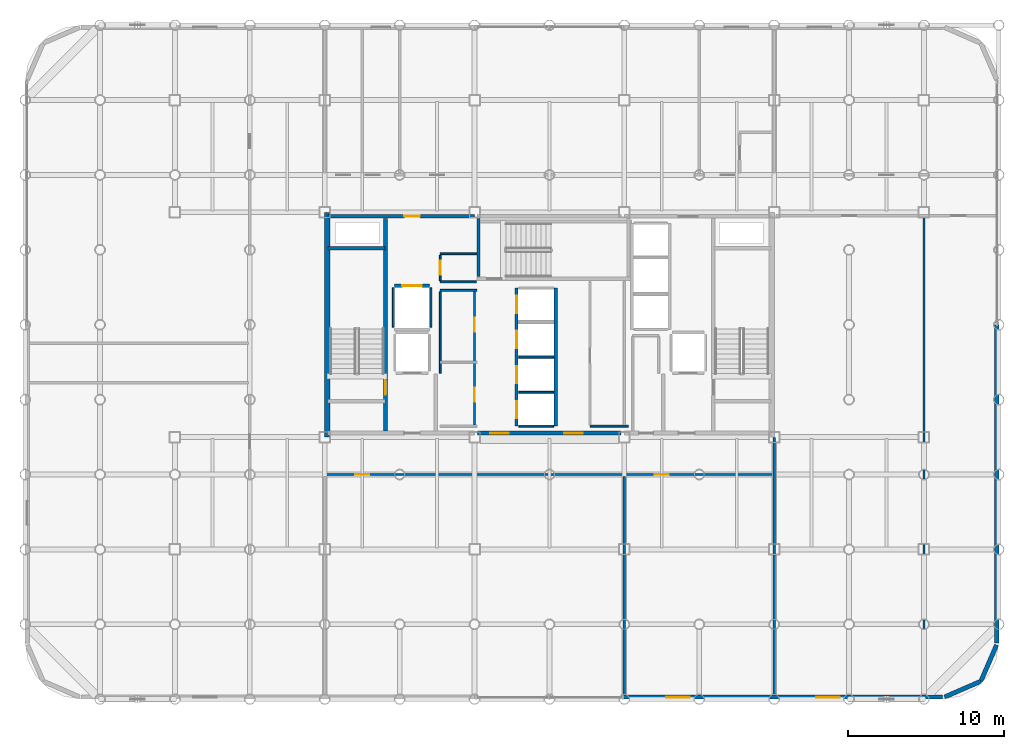
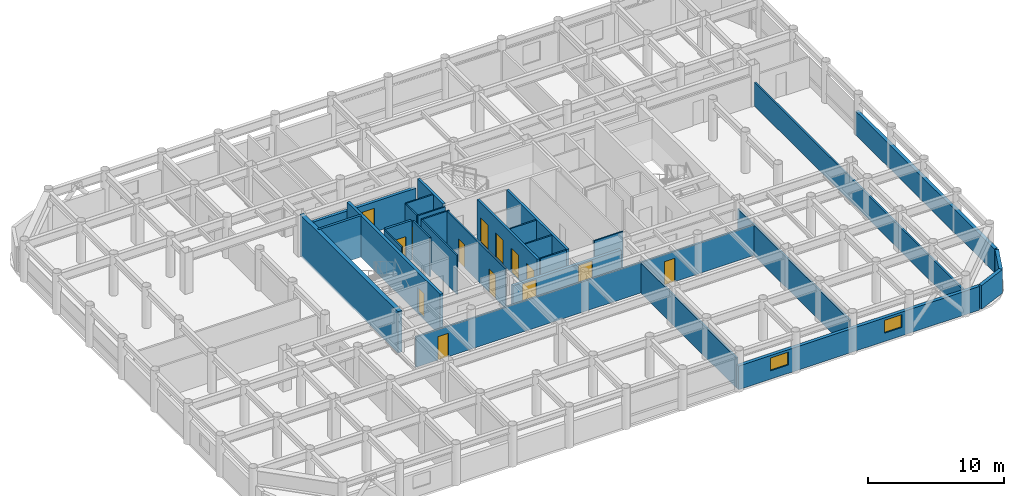
# One storey, part 16 of 19: 29 walls, 14 doors, 2 windows, 16 openings.
"""IFC4 building model written with IfcOpenShell, lengths in metres."""

from ifc_helpers import new_model, si_unit, direction, frame, frame_2d, origin, place, context, subcontext, project, spatial, rectangle, extrude, material, layer, layer_set, type_object, element, fill, save


model = new_model("IFC4")

# Units and contexts
model_context = context("Model", 3, precision=1e-05, world=origin(), true_north=direction((0.0, 1.0)))
body_context = subcontext(model_context, "Body", "Model", "MODEL_VIEW")
ifc_project = project(units=[si_unit("LENGTHUNIT", "METRE"), si_unit("AREAUNIT", "SQUARE_METRE"), si_unit("VOLUMEUNIT", "CUBIC_METRE"), si_unit("PLANEANGLEUNIT", "RADIAN"), si_unit("MASSUNIT", "GRAM", prefix="KILO")], contexts=[model_context])

# Site, building, storey
site_placement = place(None, origin())
site = spatial("IfcSite", under=ifc_project, at=site_placement, CompositionType="ELEMENT")
building_placement = place(site_placement, origin())
building = spatial("IfcBuilding", under=site, at=building_placement, Name="Kallvorn Hotel Tower", CompositionType="ELEMENT")
storey_placement = place(building_placement, frame((0.0, 0.0, 169.199951171875)))
storey = spatial("IfcBuildingStorey", under=building, at=storey_placement, Name="L42", CompositionType="ELEMENT", Elevation=169.199951171875)

# Walls
ifc_material_1 = material(Name="Concrete C50/60", Category="concrete")
ifc_layer_1 = layer(ifc_material_1, 0.35009765625)
ifc_layer_set_1 = layer_set([ifc_layer_1], Name="WL_CORE_350")
wall_type_1 = type_object("IfcWallType", Name="WL_CORE_350", PredefinedType="SHEAR", material=ifc_layer_set_1)
wall_1_placement = place(storey_placement, frame((-14.239990234375, -7.199951171875, -0.179931640625), z_axis=(0.0, 0.0, 1.0), x_axis=(0.0, 1.0, 0.0)))
element("IfcWall", 1, at=wall_1_placement, inside=storey, type_object=wall_type_1, Name="L42 Core West Shear Wall", PredefinedType="SHEAR", context=body_context, shape_type="SweptSolid", body=[
    extrude(rectangle(XDim=14.39990234375, YDim=0.35009765625, at=frame_2d((7.199951171875, 0.0))), origin(), (0.0, 0.0, 1.0), 3.699951171875),
])
ifc_material_2 = material(Name="Precast basalt-clad insulated concrete wall C40/50", Category="masonry")
ifc_layer_2 = layer(ifc_material_2, 0.280029296875)
ifc_layer_set_2 = layer_set([ifc_layer_2], Name="WL_EXT_LOGGIA_280")
wall_type_2 = type_object("IfcWallType", Name="WL_EXT_LOGGIA_280", PredefinedType="SOLIDWALL", material=ifc_layer_set_2)
wall_2_placement = place(storey_placement, frame((25.32080078125, -23.85791015625, 0.0), z_axis=(0.0, 0.0, 1.0), x_axis=(0.917060872934, 0.398747232384, 0.0)))
element("IfcWall", 2, at=wall_2_placement, inside=storey, type_object=wall_type_2, Name="L42 Rounded Corner Exterior Wall SE1", PredefinedType="SOLIDWALL", context=body_context, shape_type="SweptSolid", body=[
    extrude(rectangle(XDim=2.5361328125, YDim=0.280029296875, at=frame_2d((1.26806640625, 0.0))), origin(), (0.0, 0.0, 1.0), 2.1201171875),
])
wall_3_placement = place(storey_placement, frame((27.646484375, -22.8466796875, 0.0), z_axis=(0.0, 0.0, 1.0), x_axis=(0.398792985289, 0.917040977756, 0.0)))
element("IfcWall", 3, at=wall_3_placement, inside=storey, type_object=wall_type_2, Name="L42 Rounded Corner Exterior Wall SE2", PredefinedType="SOLIDWALL", context=body_context, shape_type="SweptSolid", body=[
    extrude(rectangle(XDim=2.536376953125, YDim=0.280029296875, at=frame_2d((1.26806640625, 0.0))), origin(), (0.0, 0.0, 1.0), 2.1201171875),
])

# Wall, openings, windows
wall_4_placement = place(storey_placement, frame((4.75, -23.860107421875, 0.0), z_axis=(0.0, 0.0, 1.0), x_axis=(1.0, 0.0, 0.0)))
wall_4 = element("IfcWall", 4, at=wall_4_placement, inside=storey, type_object=wall_type_2, Name="L42 Exterior Envelope Wall EW-L42-SE", PredefinedType="SOLIDWALL", context=body_context, shape_type="SweptSolid", body=[
    extrude(rectangle(XDim=20.449951171875, YDim=0.280029296875, at=frame_2d((10.22509765625, 0.0))), origin(), (0.0, 0.0, 1.0), 2.1201171875),
])
opening_1_placement = place(wall_4_placement, frame((12.360107421875, 0.0, 0.75)))
opening_1 = element("IfcOpeningElement", 5, at=opening_1_placement, cuts=wall_4, Name="Opening W05A", PredefinedType="OPENING", context=body_context, shape_type="SweptSolid", body=[
    extrude(rectangle(XDim=1.5, YDim=1.14990234375, at=frame_2d((0.75, 0.574951171875))), frame((0.0, 0.155029296875, 0.0), z_axis=(0.0, -1.0, 0.0), x_axis=(1.0, 0.0, 0.0)), (0.0, 0.0, 1.0), 0.31005859375),
])
opening_2_placement = place(wall_4_placement, frame((2.73388671875, 0.0, 0.75)))
opening_2 = element("IfcOpeningElement", 6, at=opening_2_placement, cuts=wall_4, Name="Opening W05A", PredefinedType="OPENING", context=body_context, shape_type="SweptSolid", body=[
    extrude(rectangle(XDim=1.5, YDim=1.14990234375, at=frame_2d((0.75, 0.574951171875))), frame((0.0, 0.155029296875, 0.0), z_axis=(0.0, -1.0, 0.0), x_axis=(1.0, 0.0, 0.0)), (0.0, 0.0, 1.0), 0.31005859375),
])
ifc_material_3 = material(Name="Double-glazed low-e solar-control dark glass", Category="glass")
window_type = type_object("IfcWindowType", Name="WN_HTL_1500x1150", PartitioningType="SINGLE_PANEL", PredefinedType="WINDOW", material=ifc_material_3)
window_1_placement = place(opening_1_placement, origin())
window_1 = element("IfcWindow", 7, at=window_1_placement, inside=storey, type_object=window_type, Name="L42 Guestroom Exterior Window 05", OverallHeight=1.14990234375, OverallWidth=1.5, PartitioningType="SINGLE_PANEL", PredefinedType="WINDOW", context=body_context, shape_type="SweptSolid", body=[
    extrude(rectangle(XDim=1.5, YDim=1.14990234375, at=frame_2d((0.75, 0.574951171875))), frame((0.0, 0.030029296875, 0.0), z_axis=(0.0, -1.0, 0.0), x_axis=(1.0, 0.0, 0.0)), (0.0, 0.0, 1.0), 0.06005859375),
])
fill(opening_1, window_1)
window_2_placement = place(opening_2_placement, origin())
window_2 = element("IfcWindow", 8, at=window_2_placement, inside=storey, type_object=window_type, Name="L42 Guestroom Exterior Window 06", OverallHeight=1.14990234375, OverallWidth=1.5, PartitioningType="SINGLE_PANEL", PredefinedType="WINDOW", context=body_context, shape_type="SweptSolid", body=[
    extrude(rectangle(XDim=1.5, YDim=1.14990234375, at=frame_2d((0.75, 0.574951171875))), frame((0.0, 0.030029296875, 0.0), z_axis=(0.0, -1.0, 0.0), x_axis=(1.0, 0.0, 0.0)), (0.0, 0.0, 1.0), 0.06005859375),
])
fill(opening_2, window_2)

# Walls
wall_5_placement = place(storey_placement, frame((28.659912109375, -20.39990234375, 0.0), z_axis=(0.0, 0.0, 1.0), x_axis=(0.0, 1.0, 0.0)))
element("IfcWall", 9, at=wall_5_placement, inside=storey, type_object=wall_type_2, Name="L42 Exterior Envelope Wall EW-L42-ES", PredefinedType="SOLIDWALL", context=body_context, shape_type="SweptSolid", body=[
    extrude(rectangle(XDim=20.3798828125, YDim=0.280029296875, at=frame_2d((10.18994140625, 0.0))), origin(), (0.0, 0.0, 1.0), 2.1201171875),
])
ifc_material_4 = material(Name="Concrete C40/50", Category="concrete")
ifc_layer_3 = layer(ifc_material_4, 0.199951171875)
ifc_layer_set_3 = layer_set([ifc_layer_3], Name="WL_HOIST_200")
wall_type_3 = type_object("IfcWallType", Name="WL_HOIST_200", PredefinedType="SOLIDWALL", material=ifc_layer_set_3)
wall_6_placement = place(storey_placement, frame((-14.199951171875, 4.89990234375, -0.179931640625), z_axis=(0.0, 0.0, 1.0), x_axis=(1.0, 0.0, 0.0)))
element("IfcWall", 10, at=wall_6_placement, inside=storey, type_object=wall_type_3, Name="L42 Stair ST1 North Wall", PredefinedType="SOLIDWALL", context=body_context, shape_type="SweptSolid", body=[
    extrude(rectangle(XDim=3.64990234375, YDim=0.199951171875, at=frame_2d((1.824951171875, 0.0))), origin(), (0.0, 0.0, 1.0), 3.699951171875),
])
wall_7_placement = place(storey_placement, frame((-4.550048828125, 3.080078125, -0.179931640625), z_axis=(0.0, 0.0, 1.0), x_axis=(0.0, 1.0, 0.0)))
element("IfcWall", 11, at=wall_7_placement, inside=storey, type_object=wall_type_3, Name="L42 Stair ST3 West Wall", PredefinedType="SOLIDWALL", context=body_context, shape_type="SweptSolid", body=[
    extrude(rectangle(XDim=3.739990234375, YDim=0.199951171875, at=frame_2d((1.8701171875, 0.0))), origin(), (0.0, 0.0, 1.0), 3.699951171875),
])

# Wall, openings, doors
wall_8_placement = place(storey_placement, frame((-2.10009765625, -6.5, 0.0), z_axis=(0.0, 0.0, 1.0), x_axis=(0.0, 1.0, 0.0)))
wall_8 = element("IfcWall", 12, at=wall_8_placement, inside=storey, type_object=wall_type_3, Name="L42 Lift Bank B2 Landing Wall", PredefinedType="SOLIDWALL", context=body_context, shape_type="SweptSolid", body=[
    extrude(rectangle(XDim=8.85009765625, YDim=0.199951171875, at=frame_2d((4.425048828125, 0.0))), origin(), (0.0, 0.0, 1.0), 3.52001953125),
])
opening_3_placement = place(wall_8_placement, frame((0.5, 0.0, 0.0)))
opening_3 = element("IfcOpeningElement", 13, at=opening_3_placement, cuts=wall_8, Name="Opening LD-PL-05", PredefinedType="OPENING", context=body_context, shape_type="SweptSolid", body=[
    extrude(rectangle(XDim=1.10009765625, YDim=2.199951171875, at=frame_2d((0.550048828125, 1.10009765625))), frame((0.0, 0.114990234375, 0.0), z_axis=(0.0, -1.0, 0.0), x_axis=(1.0, 0.0, 0.0)), (0.0, 0.0, 1.0), 0.22998046875),
])
opening_4_placement = place(wall_8_placement, frame((2.75, 0.0, 0.0)))
opening_4 = element("IfcOpeningElement", 14, at=opening_4_placement, cuts=wall_8, Name="Opening LD-PL-06", PredefinedType="OPENING", context=body_context, shape_type="SweptSolid", body=[
    extrude(rectangle(XDim=1.10009765625, YDim=2.199951171875, at=frame_2d((0.550048828125, 1.10009765625))), frame((0.0, 0.114990234375, 0.0), z_axis=(0.0, -1.0, 0.0), x_axis=(1.0, 0.0, 0.0)), (0.0, 0.0, 1.0), 0.22998046875),
])
opening_5_placement = place(wall_8_placement, frame((5.0, 0.0, 0.0)))
opening_5 = element("IfcOpeningElement", 15, at=opening_5_placement, cuts=wall_8, Name="Opening LD-PL-07", PredefinedType="OPENING", context=body_context, shape_type="SweptSolid", body=[
    extrude(rectangle(XDim=1.10009765625, YDim=2.199951171875, at=frame_2d((0.550048828125, 1.10009765625))), frame((0.0, 0.114990234375, 0.0), z_axis=(0.0, -1.0, 0.0), x_axis=(1.0, 0.0, 0.0)), (0.0, 0.0, 1.0), 0.22998046875),
])
opening_6_placement = place(wall_8_placement, frame((7.25, 0.0, 0.0)))
opening_6 = element("IfcOpeningElement", 16, at=opening_6_placement, cuts=wall_8, Name="Opening LD-PL-08", PredefinedType="OPENING", context=body_context, shape_type="SweptSolid", body=[
    extrude(rectangle(XDim=1.10009765625, YDim=2.199951171875, at=frame_2d((0.550048828125, 1.10009765625))), frame((0.0, 0.114990234375, 0.0), z_axis=(0.0, -1.0, 0.0), x_axis=(1.0, 0.0, 0.0)), (0.0, 0.0, 1.0), 0.22998046875),
])
ifc_material_5 = material(Name="Brushed stainless-steel automatic sliding lift landing door", Category="steel")
door_type_1 = type_object("IfcDoorType", Name="LD_PASS_1100x2200", OperationType="SLIDING_TO_LEFT", PredefinedType="DOOR", material=ifc_material_5)
door_1_placement = place(opening_3_placement, origin())
door_1 = element("IfcDoor", 17, at=door_1_placement, inside=storey, type_object=door_type_1, Name="L42 Lift Landing Sliding Door LD-PL-05", OperationType="SLIDING_TO_LEFT", OverallHeight=2.199951171875, OverallWidth=1.10009765625, PredefinedType="DOOR", context=body_context, shape_type="SweptSolid", body=[
    extrude(rectangle(XDim=1.10009765625, YDim=2.199951171875, at=frame_2d((0.550048828125, 1.10009765625))), frame((0.0, 0.02490234375, 0.0), z_axis=(0.0, -1.0, 0.0), x_axis=(1.0, 0.0, 0.0)), (0.0, 0.0, 1.0), 0.050048828125),
])
fill(opening_3, door_1)
door_2_placement = place(opening_4_placement, origin())
door_2 = element("IfcDoor", 18, at=door_2_placement, inside=storey, type_object=door_type_1, Name="L42 Lift Landing Sliding Door LD-PL-06", OperationType="SLIDING_TO_LEFT", OverallHeight=2.199951171875, OverallWidth=1.10009765625, PredefinedType="DOOR", context=body_context, shape_type="SweptSolid", body=[
    extrude(rectangle(XDim=1.10009765625, YDim=2.199951171875, at=frame_2d((0.550048828125, 1.10009765625))), frame((0.0, 0.02490234375, 0.0), z_axis=(0.0, -1.0, 0.0), x_axis=(1.0, 0.0, 0.0)), (0.0, 0.0, 1.0), 0.050048828125),
])
fill(opening_4, door_2)
door_3_placement = place(opening_5_placement, origin())
door_3 = element("IfcDoor", 19, at=door_3_placement, inside=storey, type_object=door_type_1, Name="L42 Lift Landing Sliding Door LD-PL-07", OperationType="SLIDING_TO_LEFT", OverallHeight=2.199951171875, OverallWidth=1.10009765625, PredefinedType="DOOR", context=body_context, shape_type="SweptSolid", body=[
    extrude(rectangle(XDim=1.10009765625, YDim=2.199951171875, at=frame_2d((0.550048828125, 1.10009765625))), frame((0.0, 0.02490234375, 0.0), z_axis=(0.0, -1.0, 0.0), x_axis=(1.0, 0.0, 0.0)), (0.0, 0.0, 1.0), 0.050048828125),
])
fill(opening_5, door_3)
door_4_placement = place(opening_6_placement, origin())
door_4 = element("IfcDoor", 20, at=door_4_placement, inside=storey, type_object=door_type_1, Name="L42 Lift Landing Sliding Door LD-PL-08", OperationType="SLIDING_TO_LEFT", OverallHeight=2.199951171875, OverallWidth=1.10009765625, PredefinedType="DOOR", context=body_context, shape_type="SweptSolid", body=[
    extrude(rectangle(XDim=1.10009765625, YDim=2.199951171875, at=frame_2d((0.550048828125, 1.10009765625))), frame((0.0, 0.02490234375, 0.0), z_axis=(0.0, -1.0, 0.0), x_axis=(1.0, 0.0, 0.0)), (0.0, 0.0, 1.0), 0.050048828125),
])
fill(opening_6, door_4)

# Wall
wall_9_placement = place(storey_placement, frame((0.39990234375, -6.5, 0.0), z_axis=(0.0, 0.0, 1.0), x_axis=(0.0, 1.0, 0.0)))
element("IfcWall", 21, at=wall_9_placement, inside=storey, type_object=wall_type_3, Name="L42 Lift Bank B2 Rear Shaft Wall", PredefinedType="SOLIDWALL", context=body_context, shape_type="SweptSolid", body=[
    extrude(rectangle(XDim=8.85009765625, YDim=0.199951171875, at=frame_2d((4.425048828125, 0.0))), origin(), (0.0, 0.0, 1.0), 3.52001953125),
])

# Wall, opening, door
wall_10_placement = place(storey_placement, frame((-9.919921875, 2.5, 0.0), z_axis=(0.0, 0.0, 1.0), x_axis=(1.0, 0.0, 0.0)))
wall_10 = element("IfcWall", 22, at=wall_10_placement, inside=storey, type_object=wall_type_3, Name="L42 SV-01 Landing Wall", PredefinedType="SOLIDWALL", context=body_context, shape_type="SweptSolid", body=[
    extrude(rectangle(XDim=2.239990234375, YDim=0.199951171875, at=frame_2d((1.1201171875, 0.0))), origin(), (0.0, 0.0, 1.0), 3.52001953125),
])
opening_7_placement = place(wall_10_placement, frame((0.4951171875, 0.0, 0.0)))
opening_7 = element("IfcOpeningElement", 23, at=opening_7_placement, cuts=wall_10, Name="Opening LD-SV-01", PredefinedType="OPENING", context=body_context, shape_type="SweptSolid", body=[
    extrude(rectangle(XDim=1.25, YDim=2.25, at=frame_2d((0.625, 1.125))), frame((0.0, 0.114990234375, 0.0), z_axis=(0.0, -1.0, 0.0), x_axis=(1.0, 0.0, 0.0)), (0.0, 0.0, 1.0), 0.22998046875),
])
ifc_material_6 = material(Name="Brushed stainless-steel automatic sliding lift landing door", Category="steel")
door_type_2 = type_object("IfcDoorType", Name="LD_SERV_1250x2250", OperationType="SLIDING_TO_LEFT", PredefinedType="DOOR", material=ifc_material_6)
door_5_placement = place(opening_7_placement, origin())
door_5 = element("IfcDoor", 24, at=door_5_placement, inside=storey, type_object=door_type_2, Name="L42 Lift Landing Sliding Door LD-SV-01", OperationType="SLIDING_TO_LEFT", OverallHeight=2.25, OverallWidth=1.25, PredefinedType="DOOR", context=body_context, shape_type="SweptSolid", body=[
    extrude(rectangle(XDim=1.25, YDim=2.25, at=frame_2d((0.625, 1.125))), frame((0.0, 0.02490234375, 0.0), z_axis=(0.0, -1.0, 0.0), x_axis=(1.0, 0.0, 0.0)), (0.0, 0.0, 1.0), 0.050048828125),
])
fill(opening_7, door_5)

# Walls
ifc_material_7 = material(Name="Fire-rated double-layer acoustic gypsum drywall EI 60")
ifc_layer_4 = layer(ifc_material_7, 0.1201171875)
ifc_layer_set_4 = layer_set([ifc_layer_4], Name="WL_INT_120")
wall_type_4 = type_object("IfcWallType", Name="WL_INT_120", PredefinedType="PARTITIONING", material=ifc_layer_set_4)
for number, where, z_axis, x_axis, name in (
    (25, (-1.9599609375, -6.5, 0.0), (0.0, 0.0, 1.0), (1.0, 0.0, 0.0), "L42 Lift Bank B2 South Closure Wall"),
    (26, (-1.9599609375, -4.324951171875, 0.0), (0.0, 0.0, 1.0), (1.0, 0.0, 0.0), "L42 PL-05 Hoistway Divider"),
    (27, (-1.9599609375, -2.074951171875, 0.0), (0.0, 0.0, 1.0), (1.0, 0.0, 0.0), "L42 PL-06 Hoistway Divider"),
):
    element("IfcWall", number, at=place(storey_placement, frame(where, z_axis=z_axis, x_axis=x_axis)), inside=storey, type_object=wall_type_4, Name=name, PredefinedType="PARTITIONING", context=body_context, shape_type="SweptSolid", body=[
        extrude(rectangle(XDim=2.219970703125, YDim=0.1201171875, at=frame_2d((1.10986328125, 0.0))), origin(), (0.0, 0.0, 1.0), 3.52001953125),
    ])
for number, where, z_axis, x_axis, name in (
    (28, (-10.0, -0.159912109375, 0.0), (0.0, 0.0, 1.0), (0.0, 1.0, 0.0), "L42 SV-01 West Shaft Wall"),
    (29, (-7.60009765625, -0.159912109375, 0.0), (0.0, 0.0, 1.0), (0.0, 1.0, 0.0), "L42 SV-01 East Shaft Wall"),
):
    element("IfcWall", number, at=place(storey_placement, frame(where, z_axis=z_axis, x_axis=x_axis)), inside=storey, type_object=wall_type_4, Name=name, PredefinedType="PARTITIONING", context=body_context, shape_type="SweptSolid", body=[
        extrude(rectangle(XDim=2.52001953125, YDim=0.1201171875, at=frame_2d((1.260009765625, 0.0))), origin(), (0.0, 0.0, 1.0), 3.52001953125),
    ])
wall_11_placement = place(storey_placement, frame((2.60009765625, -6.5, 0.0), z_axis=(0.0, 0.0, 1.0), x_axis=(1.0, 0.0, 0.0)))
element("IfcWall", 30, at=wall_11_placement, inside=storey, type_object=wall_type_4, Name="L42 East Core Consolidated Linen and Supply Store Partition", PredefinedType="PARTITIONING", context=body_context, shape_type="SweptSolid", body=[
    extrude(rectangle(XDim=2.449951171875, YDim=0.1201171875, at=frame_2d((1.22509765625, 0.0))), origin(), (0.0, 0.0, 1.0), 3.52001953125),
])
wall_12_placement = place(storey_placement, frame((-7.0, 2.199951171875, 0.0), z_axis=(0.0, 0.0, 1.0), x_axis=(1.0, 0.0, 0.0)))
element("IfcWall", 31, at=wall_12_placement, inside=storey, type_object=wall_type_4, Name="L42 Recaptured Central Linen Store Partition", PredefinedType="PARTITIONING", context=body_context, shape_type="SweptSolid", body=[
    extrude(rectangle(XDim=2.35009765625, YDim=0.1201171875, at=frame_2d((1.175048828125, 0.0))), origin(), (0.0, 0.0, 1.0), 3.52001953125),
])
wall_13_placement = place(storey_placement, frame((-7.0, 2.75, 0.0), z_axis=(0.0, 0.0, 1.0), x_axis=(1.0, 0.0, 0.0)))
element("IfcWall", 32, at=wall_13_placement, inside=storey, type_object=wall_type_4, Name="L42 Recaptured North Valet Closet Partition", PredefinedType="PARTITIONING", context=body_context, shape_type="SweptSolid", body=[
    extrude(rectangle(XDim=2.31005859375, YDim=0.1201171875, at=frame_2d((1.155029296875, 0.0))), origin(), (0.0, 0.0, 1.0), 3.52001953125),
])
wall_14_placement = place(storey_placement, frame((-7.0, 4.550048828125, 0.0), z_axis=(0.0, 0.0, 1.0), x_axis=(1.0, 0.0, 0.0)))
element("IfcWall", 33, at=wall_14_placement, inside=storey, type_object=wall_type_4, Name="L42 Recaptured North Valet Closet Partition", PredefinedType="PARTITIONING", context=body_context, shape_type="SweptSolid", body=[
    extrude(rectangle(XDim=2.35009765625, YDim=0.1201171875, at=frame_2d((1.175048828125, 0.0))), origin(), (0.0, 0.0, 1.0), 3.52001953125),
])
wall_15_placement = place(storey_placement, frame((-7.0, -3.110107421875, 0.0), z_axis=(0.0, 0.0, 1.0), x_axis=(0.0, 1.0, 0.0)))
element("IfcWall", 34, at=wall_15_placement, inside=storey, type_object=wall_type_4, Name="L42 Recaptured South Minibar Pantry Partition", PredefinedType="PARTITIONING", context=body_context, shape_type="SweptSolid", body=[
    extrude(rectangle(XDim=5.22509765625, YDim=0.1201171875, at=frame_2d((2.612548828125, 0.0))), origin(), (0.0, 0.0, 1.0), 3.52001953125),
])

# Wall, opening, door
wall_16_placement = place(storey_placement, frame((-7.0, 2.8349609375, 0.0), z_axis=(0.0, 0.0, 1.0), x_axis=(0.0, 1.0, 0.0)))
wall_16 = element("IfcWall", 35, at=wall_16_placement, inside=storey, type_object=wall_type_4, Name="L42 Recaptured North Valet Closet Partition", PredefinedType="PARTITIONING", context=body_context, shape_type="SweptSolid", body=[
    extrude(rectangle(XDim=1.630126953125, YDim=0.1201171875, at=frame_2d((0.81494140625, 0.0))), origin(), (0.0, 0.0, 1.0), 3.52001953125),
])
opening_8_placement = place(wall_16_placement, frame((0.364990234375, 0.0, 0.0)))
opening_8 = element("IfcOpeningElement", 36, at=opening_8_placement, cuts=wall_16, Name="Opening SVD1", PredefinedType="OPENING", context=body_context, shape_type="SweptSolid", body=[
    extrude(rectangle(XDim=0.89990234375, YDim=2.10009765625, at=frame_2d((0.449951171875, 1.050048828125))), frame((0.0, 0.074951171875, 0.0), z_axis=(0.0, -1.0, 0.0), x_axis=(1.0, 0.0, 0.0)), (0.0, 0.0, 1.0), 0.150146484375),
])
ifc_material_8 = material(Name="Galvanised painted steel fire-rated door assembly", Category="steel")
door_type_3 = type_object("IfcDoorType", Name="DR_SERV_900x2100", OperationType="NOTDEFINED", PredefinedType="DOOR", material=ifc_material_8)
door_6_placement = place(opening_8_placement, origin())
door_6 = element("IfcDoor", 37, at=door_6_placement, inside=storey, type_object=door_type_3, Name="L42 Recaptured North Valet Closet Door", OperationType="SINGLE_SWING_RIGHT", OverallHeight=2.10009765625, OverallWidth=0.89990234375, PredefinedType="DOOR", context=body_context, shape_type="SweptSolid", body=[
    extrude(rectangle(XDim=0.89990234375, YDim=2.10009765625, at=frame_2d((0.449951171875, 1.050048828125))), frame((0.0, 0.02490234375, 0.0), z_axis=(0.0, -1.0, 0.0), x_axis=(1.0, 0.0, 0.0)), (0.0, 0.0, 1.0), 0.050048828125),
])
fill(opening_8, door_6)

# Wall, openings, doors
wall_17_placement = place(storey_placement, frame((-4.800048828125, -6.4150390625, 0.0), z_axis=(0.0, 0.0, 1.0), x_axis=(0.0, 1.0, 0.0)))
wall_17 = element("IfcWall", 38, at=wall_17_placement, inside=storey, type_object=wall_type_4, Name="L42 Recaptured South Minibar Pantry Partition", PredefinedType="PARTITIONING", context=body_context, shape_type="SweptSolid", body=[
    extrude(rectangle(XDim=8.530029296875, YDim=0.1201171875, at=frame_2d((4.26513671875, 0.0))), origin(), (0.0, 0.0, 1.0), 3.52001953125),
])
opening_9_placement = place(wall_17_placement, frame((1.465087890625, 0.0, 0.0)))
opening_9 = element("IfcOpeningElement", 39, at=opening_9_placement, cuts=wall_17, Name="Opening SVD1", PredefinedType="OPENING", context=body_context, shape_type="SweptSolid", body=[
    extrude(rectangle(XDim=0.89990234375, YDim=2.10009765625, at=frame_2d((0.449951171875, 1.050048828125))), frame((0.0, 0.074951171875, 0.0), z_axis=(0.0, -1.0, 0.0), x_axis=(1.0, 0.0, 0.0)), (0.0, 0.0, 1.0), 0.150146484375),
])
opening_10_placement = place(wall_17_placement, frame((5.965087890625, 0.0, 0.0)))
opening_10 = element("IfcOpeningElement", 40, at=opening_10_placement, cuts=wall_17, Name="Opening SVD1", PredefinedType="OPENING", context=body_context, shape_type="SweptSolid", body=[
    extrude(rectangle(XDim=0.89990234375, YDim=2.10009765625, at=frame_2d((0.449951171875, 1.050048828125))), frame((0.0, 0.074951171875, 0.0), z_axis=(0.0, -1.0, 0.0), x_axis=(1.0, 0.0, 0.0)), (0.0, 0.0, 1.0), 0.150146484375),
])
door_7_placement = place(opening_9_placement, origin())
door_7 = element("IfcDoor", 41, at=door_7_placement, inside=storey, type_object=door_type_3, Name="L42 Recaptured South Minibar Pantry Door", OperationType="SINGLE_SWING_RIGHT", OverallHeight=2.10009765625, OverallWidth=0.89990234375, PredefinedType="DOOR", context=body_context, shape_type="SweptSolid", body=[
    extrude(rectangle(XDim=0.89990234375, YDim=2.10009765625, at=frame_2d((0.449951171875, 1.050048828125))), frame((0.0, 0.02490234375, 0.0), z_axis=(0.0, -1.0, 0.0), x_axis=(1.0, 0.0, 0.0)), (0.0, 0.0, 1.0), 0.050048828125),
])
fill(opening_9, door_7)
door_8_placement = place(opening_10_placement, origin())
door_8 = element("IfcDoor", 42, at=door_8_placement, inside=storey, type_object=door_type_3, Name="L42 Recaptured Central Linen Store Door", OperationType="SINGLE_SWING_RIGHT", OverallHeight=2.10009765625, OverallWidth=0.89990234375, PredefinedType="DOOR", context=body_context, shape_type="SweptSolid", body=[
    extrude(rectangle(XDim=0.89990234375, YDim=2.10009765625, at=frame_2d((0.449951171875, 1.050048828125))), frame((0.0, 0.02490234375, 0.0), z_axis=(0.0, -1.0, 0.0), x_axis=(1.0, 0.0, 0.0)), (0.0, 0.0, 1.0), 0.050048828125),
])
fill(opening_10, door_8)

ifc_material_9 = material(Name="Fire-rated double-layer acoustic gypsum drywall EI 60")
ifc_layer_5 = layer(ifc_material_9, 0.14990234375)
ifc_layer_set_5 = layer_set([ifc_layer_5], Name="WL_PART_150")
wall_type_5 = type_object("IfcWallType", Name="WL_PART_150", PredefinedType="PARTITIONING", material=ifc_layer_set_5)
wall_18_placement = place(storey_placement, frame((-14.320068359375, -9.60009765625, 0.0), z_axis=(0.0, 0.0, 1.0), x_axis=(1.0, 0.0, 0.0)))
wall_18 = element("IfcWall", 43, at=wall_18_placement, inside=storey, type_object=wall_type_5, Name="L42 L42 Diplomatic Summit Conference Boardroom 1 Partition", PredefinedType="PARTITIONING", context=body_context, shape_type="SweptSolid", body=[
    extrude(rectangle(XDim=28.64013671875, YDim=0.14990234375, at=frame_2d((14.320068359375, 0.0))), origin(), (0.0, 0.0, 1.0), 2.719970703125),
])
opening_11_placement = place(wall_18_placement, frame((1.8701171875, 0.0, 0.0)))
opening_11 = element("IfcOpeningElement", 44, at=opening_11_placement, cuts=wall_18, Name="Opening SVD1", PredefinedType="OPENING", context=body_context, shape_type="SweptSolid", body=[
    extrude(rectangle(XDim=0.89990234375, YDim=2.10009765625, at=frame_2d((0.449951171875, 1.050048828125))), frame((0.0, 0.08984375, 0.0), z_axis=(0.0, -1.0, 0.0), x_axis=(1.0, 0.0, 0.0)), (0.0, 0.0, 1.0), 0.179931640625),
])
opening_12_placement = place(wall_18_placement, frame((21.070068359375, 0.0, 0.0)))
opening_12 = element("IfcOpeningElement", 45, at=opening_12_placement, cuts=wall_18, Name="Opening SVD1", PredefinedType="OPENING", context=body_context, shape_type="SweptSolid", body=[
    extrude(rectangle(XDim=0.89990234375, YDim=2.10009765625, at=frame_2d((0.449951171875, 1.050048828125))), frame((0.0, 0.08984375, 0.0), z_axis=(0.0, -1.0, 0.0), x_axis=(1.0, 0.0, 0.0)), (0.0, 0.0, 1.0), 0.179931640625),
])
door_9_placement = place(opening_11_placement, origin())
door_9 = element("IfcDoor", 46, at=door_9_placement, inside=storey, type_object=door_type_3, Name="L42 L42 Diplomatic Summit Conference Boardroom 1 Door", OperationType="SINGLE_SWING_LEFT", OverallHeight=2.10009765625, OverallWidth=0.89990234375, PredefinedType="DOOR", context=body_context, shape_type="SweptSolid", body=[
    extrude(rectangle(XDim=0.89990234375, YDim=2.10009765625, at=frame_2d((0.449951171875, 1.050048828125))), frame((0.0, 0.02490234375, 0.0), z_axis=(0.0, -1.0, 0.0), x_axis=(1.0, 0.0, 0.0)), (0.0, 0.0, 1.0), 0.050048828125),
])
fill(opening_11, door_9)
door_10_placement = place(opening_12_placement, origin())
door_10 = element("IfcDoor", 47, at=door_10_placement, inside=storey, type_object=door_type_3, Name="L42 L42 Haute Couture Design Retail Shop 2 Door", OperationType="SINGLE_SWING_RIGHT", OverallHeight=2.10009765625, OverallWidth=0.89990234375, PredefinedType="DOOR", context=body_context, shape_type="SweptSolid", body=[
    extrude(rectangle(XDim=0.89990234375, YDim=2.10009765625, at=frame_2d((0.449951171875, 1.050048828125))), frame((0.0, 0.02490234375, 0.0), z_axis=(0.0, -1.0, 0.0), x_axis=(1.0, 0.0, 0.0)), (0.0, 0.0, 1.0), 0.050048828125),
])
fill(opening_12, door_10)

# Walls
wall_19_placement = place(storey_placement, frame((4.800048828125, -23.7099609375, 0.0), z_axis=(0.0, 0.0, 1.0), x_axis=(0.0, 1.0, 0.0)))
element("IfcWall", 48, at=wall_19_placement, inside=storey, type_object=wall_type_5, Name="L42 L42 Diplomatic Summit Conference Boardroom 1 Partition", PredefinedType="PARTITIONING", context=body_context, shape_type="SweptSolid", body=[
    extrude(rectangle(XDim=13.989990234375, YDim=0.14990234375, at=frame_2d((6.9951171875, 0.0))), origin(), (0.0, 0.0, 1.0), 2.719970703125),
])
wall_20_placement = place(storey_placement, frame((14.39990234375, -23.7099609375, 0.0), z_axis=(0.0, 0.0, 1.0), x_axis=(0.0, 1.0, 0.0)))
element("IfcWall", 49, at=wall_20_placement, inside=storey, type_object=wall_type_5, Name="L42 L42 Haute Couture Design Retail Shop 2 Partition", PredefinedType="PARTITIONING", context=body_context, shape_type="SweptSolid", body=[
    extrude(rectangle(XDim=16.469970703125, YDim=0.14990234375, at=frame_2d((8.23486328125, 0.0))), origin(), (0.0, 0.0, 1.0), 2.719970703125),
])
wall_21_placement = place(storey_placement, frame((24.0, -23.7099609375, 0.0), z_axis=(0.0, 0.0, 1.0), x_axis=(0.0, 1.0, 0.0)))
element("IfcWall", 50, at=wall_21_placement, inside=storey, type_object=wall_type_5, Name="L42 L42 Far-East Design Boutique Partition", PredefinedType="PARTITIONING", context=body_context, shape_type="SweptSolid", body=[
    extrude(rectangle(XDim=30.60498046875, YDim=0.14990234375, at=frame_2d((15.302490234375, 0.0))), origin(), (0.0, 0.0, 1.0), 2.1201171875),
])

# Wall, openings, doors
ifc_material_10 = material(Name="Concrete C40/50", Category="concrete")
ifc_layer_6 = layer(ifc_material_10, 0.25)
ifc_layer_set_6 = layer_set([ifc_layer_6], Name="WL_SHAFT_250")
wall_type_6 = type_object("IfcWallType", Name="WL_SHAFT_250", PredefinedType="SOLIDWALL", material=ifc_layer_set_6)
wall_22_placement = place(storey_placement, frame((-4.60009765625, -6.949951171875, 0.0), z_axis=(0.0, 0.0, 1.0), x_axis=(1.0, 0.0, 0.0)))
wall_22 = element("IfcWall", 51, at=wall_22_placement, inside=storey, type_object=wall_type_6, Name="L42 Core South-Central Wall", PredefinedType="SOLIDWALL", context=body_context, shape_type="SweptSolid", body=[
    extrude(rectangle(XDim=9.2001953125, YDim=0.25, at=frame_2d((4.60009765625, 0.0))), origin(), (0.0, 0.0, 1.0), 2.320068359375),
])
opening_13_placement = place(wall_22_placement, frame((0.800048828125, 0.0, 0.0)))
opening_13 = element("IfcOpeningElement", 52, at=opening_13_placement, cuts=wall_22, Name="Opening FD2", PredefinedType="OPENING", context=body_context, shape_type="SweptSolid", body=[
    extrude(rectangle(XDim=1.199951171875, YDim=2.199951171875, at=frame_2d((0.60009765625, 1.10009765625))), frame((0.0, 0.139892578125, 0.0), z_axis=(0.0, -1.0, 0.0), x_axis=(1.0, 0.0, 0.0)), (0.0, 0.0, 1.0), 0.280029296875),
])
opening_14_placement = place(wall_22_placement, frame((5.550048828125, 0.0, 0.0)))
opening_14 = element("IfcOpeningElement", 53, at=opening_14_placement, cuts=wall_22, Name="Opening FD2", PredefinedType="OPENING", context=body_context, shape_type="SweptSolid", body=[
    extrude(rectangle(XDim=1.199951171875, YDim=2.199951171875, at=frame_2d((0.60009765625, 1.10009765625))), frame((0.0, 0.139892578125, 0.0), z_axis=(0.0, -1.0, 0.0), x_axis=(1.0, 0.0, 0.0)), (0.0, 0.0, 1.0), 0.280029296875),
])
ifc_material_11 = material(Name="Galvanised painted steel fire-rated door assembly", Category="steel")
door_type_4 = type_object("IfcDoorType", Name="DR_LOBBY_1200x2200", OperationType="DOUBLE_DOOR_SINGLE_SWING", PredefinedType="DOOR", material=ifc_material_11)
door_11_placement = place(opening_13_placement, origin())
door_11 = element("IfcDoor", 54, at=door_11_placement, inside=storey, type_object=door_type_4, Name="L42 West Passenger Lift Lobby Door", OperationType="DOUBLE_DOOR_SINGLE_SWING", OverallHeight=2.199951171875, OverallWidth=1.199951171875, PredefinedType="DOOR", context=body_context, shape_type="SweptSolid", body=[
    extrude(rectangle(XDim=1.199951171875, YDim=2.199951171875, at=frame_2d((0.60009765625, 1.10009765625))), frame((0.0, 0.02490234375, 0.0), z_axis=(0.0, -1.0, 0.0), x_axis=(1.0, 0.0, 0.0)), (0.0, 0.0, 1.0), 0.050048828125),
])
fill(opening_13, door_11)
door_12_placement = place(opening_14_placement, origin())
door_12 = element("IfcDoor", 55, at=door_12_placement, inside=storey, type_object=door_type_4, Name="L42 East Passenger Lift Lobby Door", OperationType="DOUBLE_DOOR_SINGLE_SWING", OverallHeight=2.199951171875, OverallWidth=1.199951171875, PredefinedType="DOOR", context=body_context, shape_type="SweptSolid", body=[
    extrude(rectangle(XDim=1.199951171875, YDim=2.199951171875, at=frame_2d((0.60009765625, 1.10009765625))), frame((0.0, 0.02490234375, 0.0), z_axis=(0.0, -1.0, 0.0), x_axis=(1.0, 0.0, 0.0)), (0.0, 0.0, 1.0), 0.050048828125),
])
fill(opening_14, door_12)

# Wall, opening, door
wall_23_placement = place(storey_placement, frame((-14.199951171875, 6.949951171875, 0.0), z_axis=(0.0, 0.0, 1.0), x_axis=(1.0, 0.0, 0.0)))
wall_23 = element("IfcWall", 56, at=wall_23_placement, inside=storey, type_object=wall_type_6, Name="L42 Core North-West Wall", PredefinedType="SOLIDWALL", context=body_context, shape_type="SweptSolid", body=[
    extrude(rectangle(XDim=9.39990234375, YDim=0.25, at=frame_2d((4.699951171875, 0.0))), origin(), (0.0, 0.0, 1.0), 2.719970703125),
])
opening_15_placement = place(wall_23_placement, frame((4.89990234375, 0.0, 0.0)))
opening_15 = element("IfcOpeningElement", 57, at=opening_15_placement, cuts=wall_23, Name="Opening FD1", PredefinedType="OPENING", context=body_context, shape_type="SweptSolid", body=[
    extrude(rectangle(XDim=1.0, YDim=2.14990234375, at=frame_2d((0.5, 1.074951171875))), frame((0.0, 0.139892578125, 0.0), z_axis=(0.0, -1.0, 0.0), x_axis=(1.0, 0.0, 0.0)), (0.0, 0.0, 1.0), 0.280029296875),
])
ifc_material_12 = material(Name="Galvanised painted steel fire-rated door assembly", Category="steel")
door_type_5 = type_object("IfcDoorType", Name="DR_FFL_1000x2150", OperationType="NOTDEFINED", PredefinedType="DOOR", material=ifc_material_12)
door_13_placement = place(opening_15_placement, origin())
door_13 = element("IfcDoor", 58, at=door_13_placement, inside=storey, type_object=door_type_5, Name="L42 Service Lift Lobby Door", OperationType="SINGLE_SWING_RIGHT", OverallHeight=2.14990234375, OverallWidth=1.0, PredefinedType="DOOR", context=body_context, shape_type="SweptSolid", body=[
    extrude(rectangle(XDim=1.0, YDim=2.14990234375, at=frame_2d((0.5, 1.074951171875))), frame((0.0, 0.02490234375, 0.0), z_axis=(0.0, -1.0, 0.0), x_axis=(1.0, 0.0, 0.0)), (0.0, 0.0, 1.0), 0.050048828125),
])
fill(opening_15, door_13)

wall_24_placement = place(storey_placement, frame((-10.5, -6.820068359375, -0.179931640625), z_axis=(0.0, 0.0, 1.0), x_axis=(0.0, 1.0, 0.0)))
wall_24 = element("IfcWall", 59, at=wall_24_placement, inside=storey, type_object=wall_type_6, Name="L42 Stair ST1 Shaft Wall", PredefinedType="SOLIDWALL", context=body_context, shape_type="SweptSolid", body=[
    extrude(rectangle(XDim=13.64013671875, YDim=0.25, at=frame_2d((6.820068359375, 0.0))), origin(), (0.0, 0.0, 1.0), 3.699951171875),
])
opening_16_placement = place(wall_24_placement, frame((2.320068359375, 0.0, 0.179931640625)))
opening_16 = element("IfcOpeningElement", 60, at=opening_16_placement, cuts=wall_24, Name="Opening SD1", PredefinedType="OPENING", context=body_context, shape_type="SweptSolid", body=[
    extrude(rectangle(XDim=0.949951171875, YDim=2.14990234375, at=frame_2d((0.47509765625, 1.074951171875))), frame((0.0, 0.139892578125, 0.0), z_axis=(0.0, -1.0, 0.0), x_axis=(1.0, 0.0, 0.0)), (0.0, 0.0, 1.0), 0.280029296875),
])
ifc_material_13 = material(Name="Galvanised painted steel fire-rated door assembly", Category="steel")
door_type_6 = type_object("IfcDoorType", Name="DR_STAIR_950x2150", OperationType="NOTDEFINED", PredefinedType="DOOR", material=ifc_material_13)
door_14_placement = place(opening_16_placement, origin())
door_14 = element("IfcDoor", 61, at=door_14_placement, inside=storey, type_object=door_type_6, Name="L42 Exit Stair ST1 Fire Door", OperationType="SINGLE_SWING_LEFT", OverallHeight=2.14990234375, OverallWidth=0.949951171875, PredefinedType="DOOR", context=body_context, shape_type="SweptSolid", body=[
    extrude(rectangle(XDim=0.949951171875, YDim=2.14990234375, at=frame_2d((0.47509765625, 1.074951171875))), frame((0.0, 0.02490234375, 0.0), z_axis=(0.0, -1.0, 0.0), x_axis=(1.0, 0.0, 0.0)), (0.0, 0.0, 1.0), 0.050048828125),
])
fill(opening_16, door_14)

save(model, "model.ifc")
